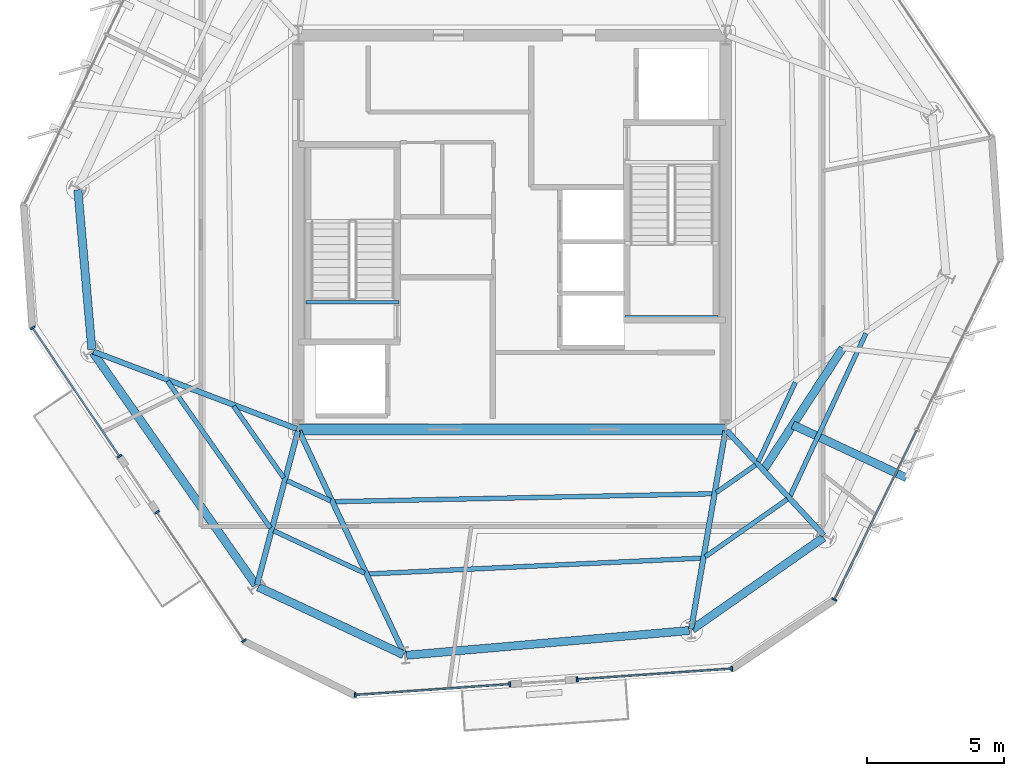
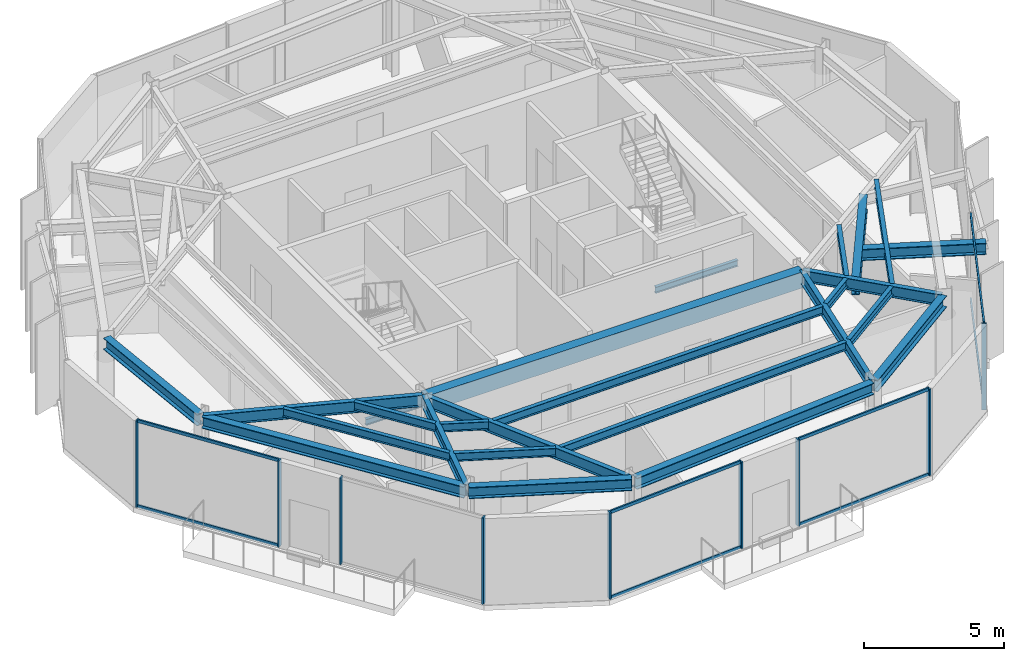
# One storey, part 2 of 13: 25 beams, 17 members, 5 elements without a shape of their own.
"""IFC4 building model written with IfcOpenShell, lengths in metres."""

from ifc_helpers import new_model, si_unit, direction, frame, origin, origin_2d, place, context, subcontext, project, spatial, rectangle, i_section, extrude, material, layer, layer_set, material_profile, profile_set, type_object, element, aggregate, save


model = new_model("IFC4")

# Units and contexts
model_context = context("Model", 3, precision=1e-05, world=origin(), true_north=direction((0.0, 1.0)))
body_context = subcontext(model_context, "Body", "Model", "MODEL_VIEW")
ifc_project = project(units=[si_unit("LENGTHUNIT", "METRE"), si_unit("AREAUNIT", "SQUARE_METRE"), si_unit("VOLUMEUNIT", "CUBIC_METRE"), si_unit("PLANEANGLEUNIT", "RADIAN"), si_unit("MASSUNIT", "GRAM", prefix="KILO")], contexts=[model_context])

# Site, building, storey
site_placement = place(None, origin())
site = spatial("IfcSite", under=ifc_project, at=site_placement, CompositionType="ELEMENT")
building_placement = place(site_placement, origin())
building = spatial("IfcBuilding", under=site, at=building_placement, Name="Kranzbogen Civic Tower", CompositionType="ELEMENT")
storey_placement = place(building_placement, frame((0.0, 0.0, 282.199951171875)))
storey = spatial("IfcBuildingStorey", under=building, at=storey_placement, Name="L68", CompositionType="ELEMENT", Elevation=282.199951171875)

# Beam
ifc_material_1 = material(Name="Concrete C40/50", Category="concrete")
ifc_material_profile_1 = material_profile(ifc_material_1, rectangle(XDim=0.39990234375, YDim=0.699951171875, at=origin_2d()), Name="RC-BM 400x700")
ifc_profile_set_1 = profile_set([ifc_material_profile_1], Name="Concrete C40/50")
beam_type_1 = type_object("IfcBeamType", Name="Core Coupling Lintel Beam 400x700", PredefinedType="LINTEL", material=ifc_profile_set_1)
beam_1_placement = place(storey_placement, frame((17.199951171875, 17.800048828125, 3.429931640625), z_axis=(1.0, 0.0, 0.0), x_axis=(0.0, 1.0, 0.0)))
element("IfcBeam", 1, at=beam_1_placement, inside=storey, type_object=beam_type_1, Name="L68 core South coupling lintel beam", PredefinedType="LINTEL", context=body_context, shape_type="SweptSolid", body=[
    extrude(rectangle(XDim=0.39990234375, YDim=0.699951171875, at=origin_2d()), origin(), (0.0, 0.0, 1.0), 15.60009765625),
])

# Curtain wall, members
ifc_material_2 = material(Name="Pale Anodised Aluminium", Category="aluminium")
ifc_layer = layer(ifc_material_2, 0.219970703125, Name="Pale Anodised Aluminium")
ifc_layer_set = layer_set([ifc_layer], Name="Pale Anodised Aluminium")
curtain_wall_type = type_object("IfcCurtainWallType", Name="Zone 4 Stick Curtain Wall System CW-05", PredefinedType="USERDEFINED", material=ifc_layer_set)
curtain_wall_1_placement = place(storey_placement, origin())
curtain_wall_1 = element("IfcCurtainWall", 2, at=curtain_wall_1_placement, inside=storey, type_object=curtain_wall_type, Name="L68 curtain wall CW-L68-F3-S1", ObjectType="STICK CURTAIN WALL", PredefinedType="USERDEFINED")
ifc_material_profile_2 = material_profile(ifc_material_2, rectangle(XDim=0.06494140625, YDim=0.179931640625, at=origin_2d()), Name="ALU-M 65x180")
ifc_profile_set_2 = profile_set([ifc_material_profile_2], Name="Pale Anodised Aluminium")
member_type_1 = type_object("IfcMemberType", Name="Curtain Wall Mullion ALU-M 65x180", PredefinedType="MULLION", material=ifc_profile_set_2)
member_1_placement = place(storey_placement, frame((7.503662109375, 21.51220703125, 0.0), z_axis=(0.0, 0.0, 1.0), x_axis=(0.5592897334, -0.828972251715, 0.0)))
member_1 = element("IfcMember", 3, at=member_1_placement, type_object=member_type_1, Name="CW-05 mullion 1", PredefinedType="MULLION", context=body_context, shape_type="SweptSolid", body=[
    extrude(rectangle(XDim=0.06494140625, YDim=0.179931640625, at=origin_2d()), origin(), (0.0, 0.0, 1.0), 3.780029296875),
])
member_2_placement = place(storey_placement, frame((10.670166015625, 16.81884765625, 0.0), z_axis=(0.0, 0.0, 1.0), x_axis=(0.5592897334, -0.828972251715, 0.0)))
member_2 = element("IfcMember", 4, at=member_2_placement, type_object=member_type_1, Name="CW-05 mullion 2", PredefinedType="MULLION", context=body_context, shape_type="SweptSolid", body=[
    extrude(rectangle(XDim=0.06494140625, YDim=0.179931640625, at=origin_2d()), origin(), (0.0, 0.0, 1.0), 3.780029296875),
])

curtain_wall_2_placement = place(storey_placement, origin())
curtain_wall_2 = element("IfcCurtainWall", 5, at=curtain_wall_2_placement, inside=storey, type_object=curtain_wall_type, Name="L68 curtain wall CW-L68-F3-S2", ObjectType="STICK CURTAIN WALL", PredefinedType="USERDEFINED")
member_3_placement = place(storey_placement, frame((12.0458984375, 14.779052734375, 0.0), z_axis=(0.0, 0.0, 1.0), x_axis=(0.559328796554, -0.828945895307, 0.0)))
member_3 = element("IfcMember", 6, at=member_3_placement, type_object=member_type_1, Name="CW-05 mullion 1", PredefinedType="MULLION", context=body_context, shape_type="SweptSolid", body=[
    extrude(rectangle(XDim=0.06494140625, YDim=0.179931640625, at=origin_2d()), origin(), (0.0, 0.0, 1.0), 3.780029296875),
])
member_4_placement = place(storey_placement, frame((15.213134765625, 10.0849609375, 0.0), z_axis=(0.0, 0.0, 1.0), x_axis=(0.559328796554, -0.828945895307, 0.0)))
member_4 = element("IfcMember", 7, at=member_4_placement, type_object=member_type_1, Name="CW-05 mullion 2", PredefinedType="MULLION", context=body_context, shape_type="SweptSolid", body=[
    extrude(rectangle(XDim=0.06494140625, YDim=0.179931640625, at=origin_2d()), origin(), (0.0, 0.0, 1.0), 3.780029296875),
])
aggregate(curtain_wall_2, [member_3, member_4])

curtain_wall_3_placement = place(storey_placement, origin())
curtain_wall_3 = element("IfcCurtainWall", 8, at=curtain_wall_3_placement, inside=storey, type_object=curtain_wall_type, Name="L68 curtain wall CW-L68-F4-S1", ObjectType="STICK CURTAIN WALL", PredefinedType="USERDEFINED")
member_5_placement = place(storey_placement, frame((19.27197265625, 8.10498046875, 0.0), z_axis=(0.0, 0.0, 1.0), x_axis=(0.997566629401, 0.069719580503, 0.0)))
member_5 = element("IfcMember", 9, at=member_5_placement, type_object=member_type_1, Name="CW-05 mullion 1", PredefinedType="MULLION", context=body_context, shape_type="SweptSolid", body=[
    extrude(rectangle(XDim=0.06494140625, YDim=0.179931640625, at=origin_2d()), origin(), (0.0, 0.0, 1.0), 3.780029296875),
])
member_6_placement = place(storey_placement, frame((24.921142578125, 8.5, 0.0), z_axis=(0.0, 0.0, 1.0), x_axis=(0.997566629401, 0.069719580503, 0.0)))
member_6 = element("IfcMember", 10, at=member_6_placement, type_object=member_type_1, Name="CW-05 mullion 2", PredefinedType="MULLION", context=body_context, shape_type="SweptSolid", body=[
    extrude(rectangle(XDim=0.06494140625, YDim=0.179931640625, at=origin_2d()), origin(), (0.0, 0.0, 1.0), 3.780029296875),
])

curtain_wall_4_placement = place(storey_placement, origin())
curtain_wall_4 = element("IfcCurtainWall", 11, at=curtain_wall_4_placement, inside=storey, type_object=curtain_wall_type, Name="L68 curtain wall CW-L68-F4-S2", ObjectType="STICK CURTAIN WALL", PredefinedType="USERDEFINED")
member_7_placement = place(storey_placement, frame((27.375, 8.672119140625, 0.0), z_axis=(0.0, 0.0, 1.0), x_axis=(0.997565779819, 0.069731735481, 0.0)))
member_7 = element("IfcMember", 12, at=member_7_placement, type_object=member_type_1, Name="CW-05 mullion 1", PredefinedType="MULLION", context=body_context, shape_type="SweptSolid", body=[
    extrude(rectangle(XDim=0.06494140625, YDim=0.179931640625, at=origin_2d()), origin(), (0.0, 0.0, 1.0), 3.780029296875),
])
member_8_placement = place(storey_placement, frame((33.023193359375, 9.06689453125, 0.0), z_axis=(0.0, 0.0, 1.0), x_axis=(0.997565779819, 0.069731735481, 0.0)))
member_8 = element("IfcMember", 13, at=member_8_placement, type_object=member_type_1, Name="CW-05 mullion 2", PredefinedType="MULLION", context=body_context, shape_type="SweptSolid", body=[
    extrude(rectangle(XDim=0.06494140625, YDim=0.179931640625, at=origin_2d()), origin(), (0.0, 0.0, 1.0), 3.780029296875),
])

# Curtain wall, member
curtain_wall_5_placement = place(storey_placement, origin())
curtain_wall_5 = element("IfcCurtainWall", 14, at=curtain_wall_5_placement, inside=storey, type_object=curtain_wall_type, Name="L68 curtain wall CW-L68-F5", ObjectType="STICK CURTAIN WALL", PredefinedType="USERDEFINED")
member_9_placement = place(storey_placement, frame((36.76806640625, 11.592041015625, 0.0), z_axis=(0.0, 0.0, 1.0), x_axis=(0.438292703672, 0.898832301327, 0.0)))
member_9 = element("IfcMember", 15, at=member_9_placement, type_object=member_type_1, Name="CW-05 mullion 1", PredefinedType="MULLION", context=body_context, shape_type="SweptSolid", body=[
    extrude(rectangle(XDim=0.06494140625, YDim=0.179931640625, at=origin_2d()), origin(), (0.0, 0.0, 1.0), 3.780029296875),
])

# Member
ifc_material_profile_3 = material_profile(ifc_material_2, rectangle(XDim=0.06494140625, YDim=0.135009765625, at=origin_2d()), Name="ALU-T 65x135")
ifc_profile_set_3 = profile_set([ifc_material_profile_3], Name="Pale Anodised Aluminium")
member_type_2 = type_object("IfcMemberType", Name="Curtain Wall Transom ALU-T 65x135", PredefinedType="USERDEFINED", material=ifc_profile_set_3)
member_10_placement = place(storey_placement, frame((7.5205078125, 21.4873046875, 0.030029296875), z_axis=(0.559308165744, -0.828959815511, 0.0), x_axis=(0.828959815511, 0.559308165744, 0.0)))
member_10 = element("IfcMember", 16, at=member_10_placement, type_object=member_type_2, Name="CW-05 transom 1.1", ObjectType="TRANSOM", PredefinedType="USERDEFINED", context=body_context, shape_type="SweptSolid", body=[
    extrude(rectangle(XDim=0.06494140625, YDim=0.135009765625, at=origin_2d()), origin(), (0.0, 0.0, 1.0), 5.6015625),
])

member_11_placement = place(storey_placement, frame((7.5205078125, 21.4873046875, 3.75), z_axis=(0.559308165744, -0.828959815511, 0.0), x_axis=(0.828959815511, 0.559308165744, 0.0)))
member_11 = element("IfcMember", 17, at=member_11_placement, type_object=member_type_2, Name="CW-05 transom 1.2", ObjectType="TRANSOM", PredefinedType="USERDEFINED", context=body_context, shape_type="SweptSolid", body=[
    extrude(rectangle(XDim=0.06494140625, YDim=0.135009765625, at=origin_2d()), origin(), (0.0, 0.0, 1.0), 5.6015625),
])

aggregate(curtain_wall_1, [member_1, member_2, member_10, member_11])

member_12_placement = place(storey_placement, frame((19.3017578125, 8.107177734375, 0.030029296875), z_axis=(0.997566791832, 0.069717256352, 0.0), x_axis=(-0.069717256352, 0.997566791832, 0.0)))
member_12 = element("IfcMember", 18, at=member_12_placement, type_object=member_type_2, Name="CW-05 transom 1.1", ObjectType="TRANSOM", PredefinedType="USERDEFINED", context=body_context, shape_type="SweptSolid", body=[
    extrude(rectangle(XDim=0.06494140625, YDim=0.135009765625, at=origin_2d()), origin(), (0.0, 0.0, 1.0), 5.60302734375),
])

member_13_placement = place(storey_placement, frame((19.3017578125, 8.107177734375, 3.75), z_axis=(0.997566791832, 0.069717256352, 0.0), x_axis=(-0.069717256352, 0.997566791832, 0.0)))
member_13 = element("IfcMember", 19, at=member_13_placement, type_object=member_type_2, Name="CW-05 transom 1.2", ObjectType="TRANSOM", PredefinedType="USERDEFINED", context=body_context, shape_type="SweptSolid", body=[
    extrude(rectangle(XDim=0.06494140625, YDim=0.135009765625, at=origin_2d()), origin(), (0.0, 0.0, 1.0), 5.60302734375),
])

aggregate(curtain_wall_3, [member_5, member_6, member_12, member_13])

member_14_placement = place(storey_placement, frame((27.40478515625, 8.674072265625, 0.030029296875), z_axis=(0.99756594446, 0.069729380128, 0.0), x_axis=(-0.069729380128, 0.99756594446, 0.0)))
member_14 = element("IfcMember", 20, at=member_14_placement, type_object=member_type_2, Name="CW-05 transom 1.1", ObjectType="TRANSOM", PredefinedType="USERDEFINED", context=body_context, shape_type="SweptSolid", body=[
    extrude(rectangle(XDim=0.06494140625, YDim=0.135009765625, at=origin_2d()), origin(), (0.0, 0.0, 1.0), 5.60205078125),
])

member_15_placement = place(storey_placement, frame((27.40478515625, 8.674072265625, 3.75), z_axis=(0.99756594446, 0.069729380128, 0.0), x_axis=(-0.069729380128, 0.99756594446, 0.0)))
member_15 = element("IfcMember", 21, at=member_15_placement, type_object=member_type_2, Name="CW-05 transom 1.2", ObjectType="TRANSOM", PredefinedType="USERDEFINED", context=body_context, shape_type="SweptSolid", body=[
    extrude(rectangle(XDim=0.06494140625, YDim=0.135009765625, at=origin_2d()), origin(), (0.0, 0.0, 1.0), 5.60205078125),
])

aggregate(curtain_wall_4, [member_7, member_8, member_14, member_15])

member_16_placement = place(storey_placement, frame((36.78125, 11.618896484375, 0.030029296875), z_axis=(0.438301129482, 0.898828192646, 0.0), x_axis=(-0.898828192646, 0.438301129482, 0.0)))
member_16 = element("IfcMember", 22, at=member_16_placement, type_object=member_type_2, Name="CW-05 transom 1.1", ObjectType="TRANSOM", PredefinedType="USERDEFINED", context=body_context, shape_type="SweptSolid", body=[
    extrude(rectangle(XDim=0.06494140625, YDim=0.135009765625, at=origin_2d()), origin(), (0.0, 0.0, 1.0), 6.832275390625),
])

member_17_placement = place(storey_placement, frame((36.78125, 11.618896484375, 3.75), z_axis=(0.438301129482, 0.898828192646, 0.0), x_axis=(-0.898828192646, 0.438301129482, 0.0)))
member_17 = element("IfcMember", 23, at=member_17_placement, type_object=member_type_2, Name="CW-05 transom 1.2", ObjectType="TRANSOM", PredefinedType="USERDEFINED", context=body_context, shape_type="SweptSolid", body=[
    extrude(rectangle(XDim=0.06494140625, YDim=0.135009765625, at=origin_2d()), origin(), (0.0, 0.0, 1.0), 6.832275390625),
])

aggregate(curtain_wall_5, [member_9, member_16, member_17])

# Beams
ifc_material_3 = material(Name="Steel S355", Category="steel")
ifc_material_profile_4 = material_profile(ifc_material_3, i_section(OverallWidth=0.300048828125, OverallDepth=0.5, WebThickness=0.014404296875, FlangeThickness=0.028076171875, at=origin_2d()), Name="HEB 500")
ifc_profile_set_4 = profile_set([ifc_material_profile_4], Name="Steel S355")
beam_type_2 = type_object("IfcBeamType", Name="Perimeter Tube Spandrel Beam HEB 500", PredefinedType="SPANDREL", material=ifc_profile_set_4)
beam_2_placement = place(storey_placement, frame((9.699951171875, 20.612060546875, 3.530029296875), z_axis=(0.573577759301, -0.819151117948, 0.0), x_axis=(0.819151117948, 0.573577759301, 0.0)))
element("IfcBeam", 24, at=beam_2_placement, inside=storey, type_object=beam_type_2, Name="L68 perimeter spandrel beam 01", PredefinedType="SPANDREL", context=body_context, shape_type="SweptSolid", body=[
    extrude(i_section(OverallWidth=0.300048828125, OverallDepth=0.5, WebThickness=0.014404296875, FlangeThickness=0.028076171875, at=origin_2d()), origin(), (0.0, 0.0, 1.0), 10.36328125),
])
beam_3_placement = place(storey_placement, frame((15.73193359375, 12.049072265625, 3.530029296875), z_axis=(0.906289661556, -0.422657129784, 0.0), x_axis=(0.422657129784, 0.906289661556, 0.0)))
element("IfcBeam", 25, at=beam_3_placement, inside=storey, type_object=beam_type_2, Name="L68 perimeter spandrel beam 02", PredefinedType="SPANDREL", context=body_context, shape_type="SweptSolid", body=[
    extrude(i_section(OverallWidth=0.300048828125, OverallDepth=0.5, WebThickness=0.014404296875, FlangeThickness=0.028076171875, at=origin_2d()), origin(), (0.0, 0.0, 1.0), 5.853759765625),
])
beam_4_placement = place(storey_placement, frame((21.15087890625, 9.554931640625, 3.530029296875), z_axis=(0.996186373839, 0.087250837114, 0.0), x_axis=(-0.087250837114, 0.996186373839, 0.0)))
element("IfcBeam", 26, at=beam_4_placement, inside=storey, type_object=beam_type_2, Name="L68 perimeter spandrel beam 03", PredefinedType="SPANDREL", context=body_context, shape_type="SweptSolid", body=[
    extrude(i_section(OverallWidth=0.300048828125, OverallDepth=0.5, WebThickness=0.014404296875, FlangeThickness=0.028076171875, at=origin_2d()), origin(), (0.0, 0.0, 1.0), 10.361572265625),
])
beam_5_placement = place(storey_placement, frame((31.58203125, 10.498046875, 3.530029296875), z_axis=(0.819059436004, 0.57370867197, 0.0), x_axis=(-0.57370867197, 0.819059436004, 0.0)))
element("IfcBeam", 27, at=beam_5_placement, inside=storey, type_object=beam_type_2, Name="L68 perimeter spandrel beam 04", PredefinedType="SPANDREL", context=body_context, shape_type="SweptSolid", body=[
    extrude(i_section(OverallWidth=0.300048828125, OverallDepth=0.5, WebThickness=0.014404296875, FlangeThickness=0.028076171875, at=origin_2d()), origin(), (0.0, 0.0, 1.0), 5.85302734375),
])
beam_6_placement = place(storey_placement, frame((9.14990234375, 26.550048828125, 3.530029296875), z_axis=(0.087326362434, -0.99617975608, 0.0), x_axis=(0.99617975608, 0.087326362434, 0.0)))
element("IfcBeam", 28, at=beam_6_placement, inside=storey, type_object=beam_type_2, Name="L68 perimeter spandrel beam 12", PredefinedType="SPANDREL", context=body_context, shape_type="SweptSolid", body=[
    extrude(i_section(OverallWidth=0.300048828125, OverallDepth=0.5, WebThickness=0.014404296875, FlangeThickness=0.028076171875, at=origin_2d()), origin(), (0.0, 0.0, 1.0), 5.8515625),
])
beam_7_placement = place(storey_placement, frame((35.25390625, 17.968017578125, 3.5), z_axis=(0.906317877089, -0.42259662288, 0.0), x_axis=(0.42259662288, 0.906317877089, 0.0)))
element("IfcBeam", 29, at=beam_7_placement, inside=storey, type_object=beam_type_2, Name="L69 back-spanned terrace beam L69-TB1-1", PredefinedType="SPANDREL", context=body_context, shape_type="SweptSolid", body=[
    extrude(i_section(OverallWidth=0.300048828125, OverallDepth=0.5, WebThickness=0.014404296875, FlangeThickness=0.028076171875, at=origin_2d()), origin(), (0.0, 0.0, 1.0), 4.581298828125),
])
ifc_material_profile_5 = material_profile(ifc_material_3, i_section(OverallWidth=0.300048828125, OverallDepth=0.699951171875, WebThickness=0.01708984375, FlangeThickness=0.031982421875, at=origin_2d()), Name="HEB 700")
ifc_profile_set_5 = profile_set([ifc_material_profile_5], Name="Steel S355")
beam_type_3 = type_object("IfcBeamType", Name="Perimeter Tube Spandrel Beam HEB 700", PredefinedType="SPANDREL", material=ifc_profile_set_5)
beam_8_placement = place(storey_placement, frame((34.177001953125, 16.31396484375, 3.400146484375), z_axis=(0.54556961734, 0.838065506172, 0.0), x_axis=(-0.838065506172, 0.54556961734, 0.0)))
element("IfcBeam", 30, at=beam_8_placement, inside=storey, type_object=beam_type_3, Name="L69 balcony back-span header girder L69-TB1", PredefinedType="SPANDREL", context=body_context, shape_type="SweptSolid", body=[
    extrude(i_section(OverallWidth=0.300048828125, OverallDepth=0.699951171875, WebThickness=0.01708984375, FlangeThickness=0.031982421875, at=origin_2d()), origin(), (0.0, 0.0, 1.0), 5.3134765625),
])
ifc_material_profile_6 = material_profile(ifc_material_3, i_section(OverallWidth=0.199951171875, OverallDepth=0.5, WebThickness=0.01025390625, FlangeThickness=0.01611328125, at=origin_2d()), Name="IPE 500")
ifc_profile_set_6 = profile_set([ifc_material_profile_6], Name="Steel S355")
beam_type_4 = type_object("IfcBeamType", Name="Radial Tower Floor Girder IPE 500", PredefinedType="BEAM", material=ifc_profile_set_6)
beam_9_placement = place(storey_placement, frame((9.721923828125, 20.639892578125, 3.530029296875), z_axis=(0.934848709689, -0.355046320913, 0.0), x_axis=(0.355046320913, 0.934848709689, 0.0)))
element("IfcBeam", 31, at=beam_9_placement, inside=storey, type_object=beam_type_4, Name="L68 radial floor girder 01", PredefinedType="BEAM", context=body_context, shape_type="SweptSolid", body=[
    extrude(i_section(OverallWidth=0.199951171875, OverallDepth=0.5, WebThickness=0.01025390625, FlangeThickness=0.01611328125, at=origin_2d()), origin(), (0.0, 0.0, 1.0), 7.939453125),
])
beam_10_placement = place(storey_placement, frame((15.693115234375, 12.132080078125, 3.530029296875), z_axis=(0.257016017622, 0.966407143333, 0.0), x_axis=(-0.966407143333, 0.257016017622, 0.0)))
element("IfcBeam", 32, at=beam_10_placement, inside=storey, type_object=beam_type_4, Name="L68 radial floor girder 02", PredefinedType="BEAM", context=body_context, shape_type="SweptSolid", body=[
    extrude(i_section(OverallWidth=0.199951171875, OverallDepth=0.5, WebThickness=0.01025390625, FlangeThickness=0.01611328125, at=origin_2d()), origin(), (0.0, 0.0, 1.0), 5.804931640625),
])
beam_11_placement = place(storey_placement, frame((21.06494140625, 9.60400390625, 3.530029296875), z_axis=(-0.426460441273, 0.904506214478, 0.0), x_axis=(-0.904506214478, -0.426460441273, 0.0)))
element("IfcBeam", 33, at=beam_11_placement, inside=storey, type_object=beam_type_4, Name="L68 radial floor girder 03", PredefinedType="BEAM", context=body_context, shape_type="SweptSolid", body=[
    extrude(i_section(OverallWidth=0.199951171875, OverallDepth=0.5, WebThickness=0.01025390625, FlangeThickness=0.01611328125, at=origin_2d()), origin(), (0.0, 0.0, 1.0), 9.001708984375),
])
beam_12_placement = place(storey_placement, frame((31.54296875, 10.52294921875, 3.530029296875), z_axis=(0.170249558486, 0.985400978199, 0.0), x_axis=(-0.985400978199, 0.170249558486, 0.0)))
element("IfcBeam", 34, at=beam_12_placement, inside=storey, type_object=beam_type_4, Name="L68 radial floor girder 04", PredefinedType="BEAM", context=body_context, shape_type="SweptSolid", body=[
    extrude(i_section(OverallWidth=0.199951171875, OverallDepth=0.5, WebThickness=0.01025390625, FlangeThickness=0.01611328125, at=origin_2d()), origin(), (0.0, 0.0, 1.0), 7.324951171875),
])
beam_13_placement = place(storey_placement, frame((36.384033203125, 13.93408203125, 3.530029296875), z_axis=(-0.679827353702, 0.733372190064, 0.0), x_axis=(-0.733372190064, -0.679827353702, 0.0)))
element("IfcBeam", 35, at=beam_13_placement, inside=storey, type_object=beam_type_4, Name="L68 radial floor girder 05", PredefinedType="BEAM", context=body_context, shape_type="SweptSolid", body=[
    extrude(i_section(OverallWidth=0.199951171875, OverallDepth=0.5, WebThickness=0.01025390625, FlangeThickness=0.01611328125, at=origin_2d()), origin(), (0.0, 0.0, 1.0), 5.211669921875),
])
ifc_material_profile_7 = material_profile(ifc_material_3, i_section(OverallWidth=0.169921875, OverallDepth=0.360107421875, WebThickness=0.008056640625, FlangeThickness=0.0126953125, at=origin_2d()), Name="IPE 360")
ifc_profile_set_7 = profile_set([ifc_material_profile_7], Name="Steel S355")
beam_type_5 = type_object("IfcBeamType", Name="Secondary Composite Floor Joist IPE 360", PredefinedType="JOIST", material=ifc_profile_set_7)
beam_14_placement = place(storey_placement, frame((12.424072265625, 19.56591796875, 3.60009765625), z_axis=(0.573499872939, -0.819205649235, 0.0), x_axis=(0.819205649235, 0.573499872939, 0.0)))
element("IfcBeam", 36, at=beam_14_placement, inside=storey, type_object=beam_type_5, Name="L68 secondary floor joist 1.01", PredefinedType="JOIST", context=body_context, shape_type="SweptSolid", body=[
    extrude(i_section(OverallWidth=0.169921875, OverallDepth=0.360107421875, WebThickness=0.008056640625, FlangeThickness=0.0126953125, at=origin_2d()), origin(), (0.0, 0.0, 1.0), 6.549072265625),
])
beam_15_placement = place(storey_placement, frame((14.8349609375, 18.64990234375, 3.60009765625), z_axis=(0.573498248491, -0.819206786457, 0.0), x_axis=(0.819206786457, 0.573498248491, 0.0)))
element("IfcBeam", 37, at=beam_15_placement, inside=storey, type_object=beam_type_5, Name="L68 secondary floor joist 2.01", PredefinedType="JOIST", context=body_context, shape_type="SweptSolid", body=[
    extrude(i_section(OverallWidth=0.169921875, OverallDepth=0.360107421875, WebThickness=0.008056640625, FlangeThickness=0.0126953125, at=origin_2d()), origin(), (0.0, 0.0, 1.0), 3.194580078125),
])
beam_16_placement = place(storey_placement, frame((16.298095703125, 14.10205078125, 3.60009765625), z_axis=(0.906303996948, -0.422626389517, 0.0), x_axis=(0.422626389517, 0.906303996948, 0.0)))
element("IfcBeam", 38, at=beam_16_placement, inside=storey, type_object=beam_type_5, Name="L68 secondary floor joist 1.02", PredefinedType="JOIST", context=body_context, shape_type="SweptSolid", body=[
    extrude(i_section(OverallWidth=0.169921875, OverallDepth=0.360107421875, WebThickness=0.008056640625, FlangeThickness=0.0126953125, at=origin_2d()), origin(), (0.0, 0.0, 1.0), 3.6630859375),
])
beam_17_placement = place(storey_placement, frame((16.784912109375, 15.93408203125, 3.60009765625), z_axis=(0.906432174342, -0.422351409751, 0.0), x_axis=(0.422351409751, 0.906432174342, 0.0)))
element("IfcBeam", 39, at=beam_17_placement, inside=storey, type_object=beam_type_5, Name="L68 secondary floor joist 2.02", PredefinedType="JOIST", context=body_context, shape_type="SweptSolid", body=[
    extrude(i_section(OverallWidth=0.169921875, OverallDepth=0.360107421875, WebThickness=0.008056640625, FlangeThickness=0.0126953125, at=origin_2d()), origin(), (0.0, 0.0, 1.0), 1.751953125),
])
beam_18_placement = place(storey_placement, frame((19.77001953125, 12.52392578125, 3.60009765625), z_axis=(0.998871634781, 0.047491654324, 0.0), x_axis=(-0.047491654324, 0.998871634781, 0.0)))
element("IfcBeam", 40, at=beam_18_placement, inside=storey, type_object=beam_type_5, Name="L68 secondary floor joist 1.03", PredefinedType="JOIST", context=body_context, shape_type="SweptSolid", body=[
    extrude(i_section(OverallWidth=0.169921875, OverallDepth=0.360107421875, WebThickness=0.008056640625, FlangeThickness=0.0126953125, at=origin_2d()), origin(), (0.0, 0.0, 1.0), 12.152587890625),
])
beam_19_placement = place(storey_placement, frame((18.52490234375, 15.162109375, 3.60009765625), z_axis=(0.999780746893, 0.020939392104, 0.0), x_axis=(-0.020939392104, 0.999780746893, 0.0)))
element("IfcBeam", 41, at=beam_19_placement, inside=storey, type_object=beam_type_5, Name="L68 secondary floor joist 2.03", PredefinedType="JOIST", context=body_context, shape_type="SweptSolid", body=[
    extrude(i_section(OverallWidth=0.169921875, OverallDepth=0.360107421875, WebThickness=0.008056640625, FlangeThickness=0.0126953125, at=origin_2d()), origin(), (0.0, 0.0, 1.0), 13.79296875),
])
beam_20_placement = place(storey_placement, frame((32.054931640625, 13.15087890625, 3.60009765625), z_axis=(0.819006333711, 0.573784476385, 0.0), x_axis=(-0.573784476385, 0.819006333711, 0.0)))
element("IfcBeam", 42, at=beam_20_placement, inside=storey, type_object=beam_type_5, Name="L68 secondary floor joist 1.04", PredefinedType="JOIST", context=body_context, shape_type="SweptSolid", body=[
    extrude(i_section(OverallWidth=0.169921875, OverallDepth=0.360107421875, WebThickness=0.008056640625, FlangeThickness=0.0126953125, at=origin_2d()), origin(), (0.0, 0.0, 1.0), 3.661865234375),
])
beam_21_placement = place(storey_placement, frame((32.4599609375, 15.498046875, 3.60009765625), z_axis=(0.818956727849, 0.573855276103, 0.0), x_axis=(-0.573855276103, 0.818956727849, 0.0)))
element("IfcBeam", 43, at=beam_21_placement, inside=storey, type_object=beam_type_5, Name="L68 secondary floor joist 2.04", PredefinedType="JOIST", context=body_context, shape_type="SweptSolid", body=[
    extrude(i_section(OverallWidth=0.169921875, OverallDepth=0.360107421875, WebThickness=0.008056640625, FlangeThickness=0.0126953125, at=origin_2d()), origin(), (0.0, 0.0, 1.0), 1.751220703125),
])
beam_22_placement = place(storey_placement, frame((35.154052734375, 15.3701171875, 3.60009765625), z_axis=(0.422542528713, 0.906343098075, 0.0), x_axis=(-0.906343098075, 0.422542528713, 0.0)))
element("IfcBeam", 44, at=beam_22_placement, inside=storey, type_object=beam_type_5, Name="L68 secondary floor joist 1.05", PredefinedType="JOIST", context=body_context, shape_type="SweptSolid", body=[
    extrude(i_section(OverallWidth=0.169921875, OverallDepth=0.360107421875, WebThickness=0.008056640625, FlangeThickness=0.0126953125, at=origin_2d()), origin(), (0.0, 0.0, 1.0), 6.548095703125),
])
beam_23_placement = place(storey_placement, frame((33.993896484375, 16.62109375, 3.60009765625), z_axis=(0.422651143991, 0.906292453065, 0.0), x_axis=(-0.906292453065, 0.422651143991, 0.0)))
element("IfcBeam", 45, at=beam_23_placement, inside=storey, type_object=beam_type_5, Name="L68 secondary floor joist 2.05", PredefinedType="JOIST", context=body_context, shape_type="SweptSolid", body=[
    extrude(i_section(OverallWidth=0.169921875, OverallDepth=0.360107421875, WebThickness=0.008056640625, FlangeThickness=0.0126953125, at=origin_2d()), origin(), (0.0, 0.0, 1.0), 3.1943359375),
])
ifc_material_profile_8 = material_profile(ifc_material_3, i_section(OverallWidth=0.135009765625, OverallDepth=0.27001953125, WebThickness=0.006591796875, FlangeThickness=0.01025390625, at=origin_2d()), Name="IPE 270")
ifc_profile_set_8 = profile_set([ifc_material_profile_8], Name="Steel S355")
beam_type_6 = type_object("IfcBeamType", Name="Stair Landing Support Beam IPE 270", PredefinedType="JOIST", material=ifc_profile_set_8)
for number, where, z_axis, x_axis, name in (
    (46, (20.8798828125, 22.43994140625, -0.35498046875), (-1.0, 0.0, 0.0), (0.0, -1.0, 0.0), "L68 ST-T1 stair floor header beam"),
    (47, (29.1201171875, 21.89990234375, 1.6650390625), (1.0, 0.0, 0.0), (0.0, 1.0, 0.0), "L68 ST-T2 landing support beam 1.2"),
):
    element("IfcBeam", number, at=place(storey_placement, frame(where, z_axis=z_axis, x_axis=x_axis)), inside=storey, type_object=beam_type_6, Name=name, PredefinedType="JOIST", context=body_context, shape_type="SweptSolid", body=[
        extrude(i_section(OverallWidth=0.135009765625, OverallDepth=0.27001953125, WebThickness=0.006591796875, FlangeThickness=0.01025390625, at=origin_2d()), origin(), (0.0, 0.0, 1.0), 3.409912109375),
    ])

save(model, "model.ifc")
